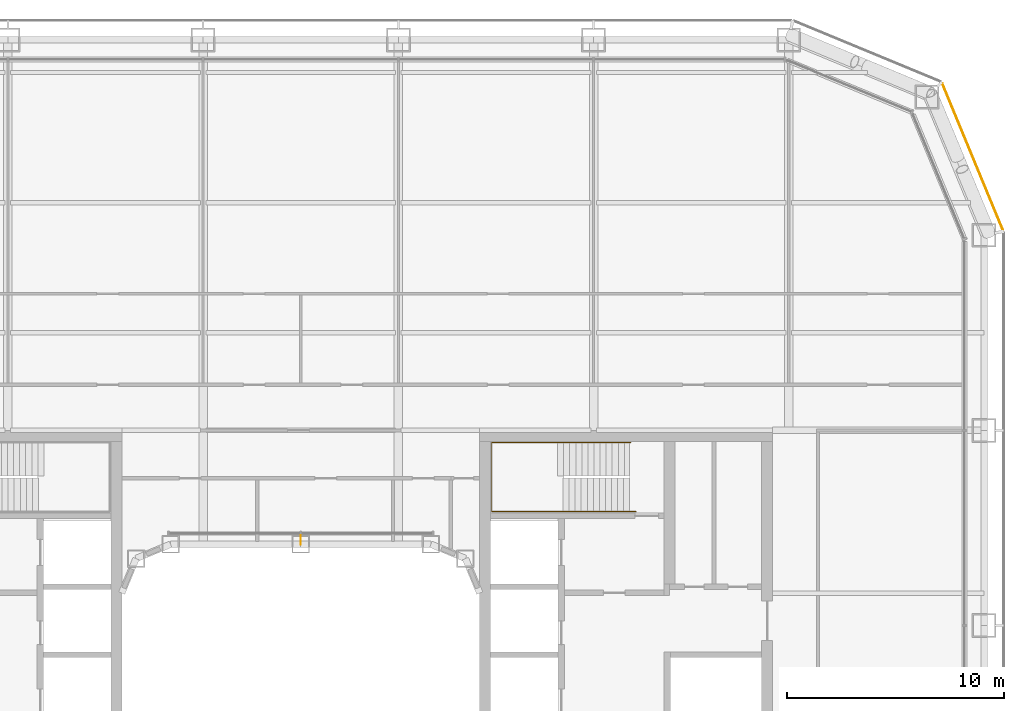
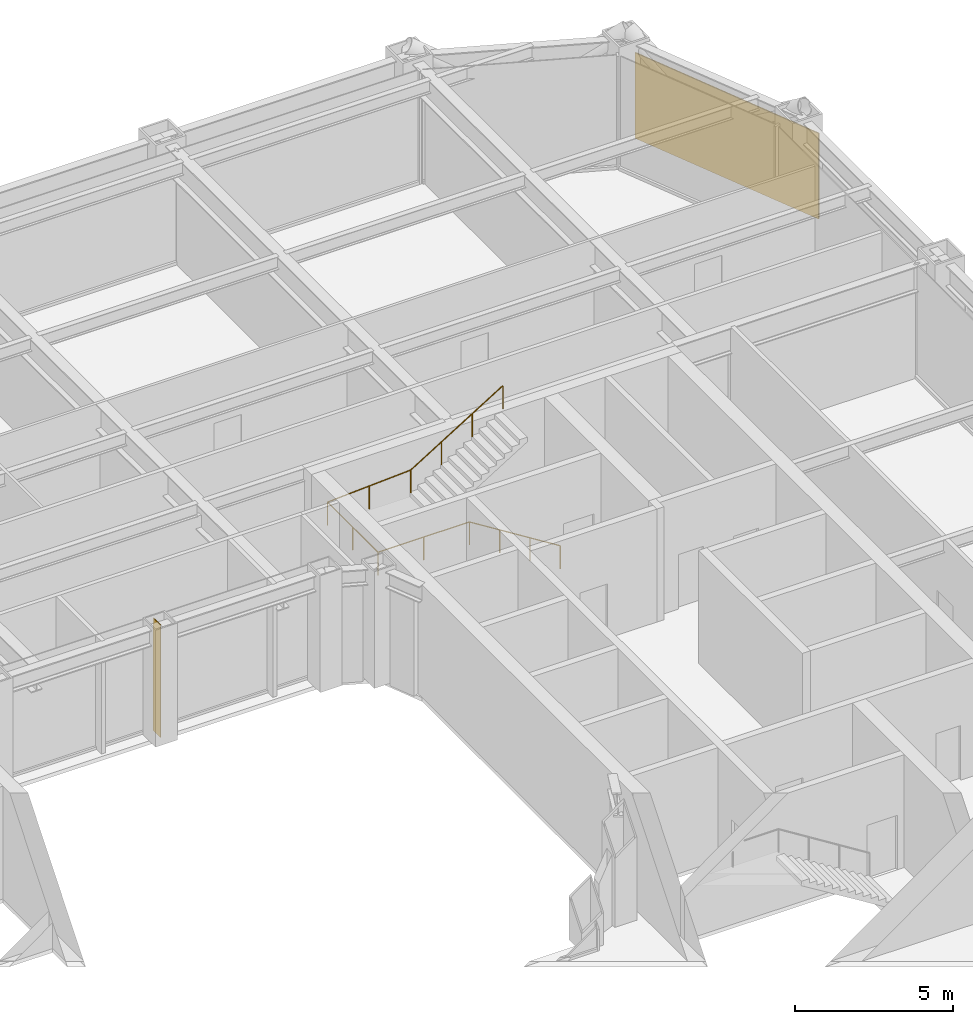
# One storey, part 23 of 24: 1 covering, 1 railing, 1 shading device.
"""IFC4 building model written with IfcOpenShell, lengths in metres."""

from ifc_helpers import new_model, si_unit, direction, frame, origin, origin_2d, place, context, subcontext, project, spatial, rectangle, circle, extrude, material, layer, layer_set, type_object, element, save


model = new_model("IFC4")

# Units and contexts
model_context = context("Model", 3, precision=1e-05, world=origin(), true_north=direction((0.0, 1.0)))
body_context = subcontext(model_context, "Body", "Model", "MODEL_VIEW")
ifc_project = project(units=[si_unit("LENGTHUNIT", "METRE"), si_unit("AREAUNIT", "SQUARE_METRE"), si_unit("VOLUMEUNIT", "CUBIC_METRE"), si_unit("PLANEANGLEUNIT", "RADIAN"), si_unit("MASSUNIT", "GRAM", prefix="KILO")], contexts=[model_context])

# Site, building, storey
site_placement = place(None, origin())
site = spatial("IfcSite", under=ifc_project, at=site_placement, CompositionType="ELEMENT")
building_placement = place(site_placement, origin())
building = spatial("IfcBuilding", under=site, at=building_placement, Name="Siwar Civic Tower", CompositionType="ELEMENT")
storey_placement = place(building_placement, frame((0.0, 0.0, 22.199951171875)))
storey = spatial("IfcBuildingStorey", under=building, at=storey_placement, Name="L04", CompositionType="ELEMENT", Elevation=22.199951171875)

# Railing
ifc_material_1 = material(Name="Stainless steel", Category="steel")
railing_type = type_object("IfcRailingType", Name="CORE-STAIR-HANDRAIL", PredefinedType="HANDRAIL", material=ifc_material_1)
railing_placement = place(storey_placement, frame((15.449951171875, 9.758056640625, 0.173095703125)))
element("IfcRailing", 1, at=railing_placement, inside=storey, type_object=railing_type, Name="Stair handrail ST3", PredefinedType="HANDRAIL", context=body_context, shape_type="SweptSolid", body=[
    extrude(circle(Radius=0.02001953125, at=origin_2d()), frame((0.0, 0.0, 0.8798828125), z_axis=(-0.847063342986, 0.0, 0.531491950051), x_axis=(0.0, -1.0, 0.0)), (0.0, 0.0, 1.0), 3.90771484375),
    extrude(circle(Radius=0.02001953125, at=origin_2d()), frame((-3.31005859375, 0.0, 2.956787109375), z_axis=(-1.0, 0.0, 0.0), x_axis=(0.0, -1.0, 0.0)), (0.0, 0.0, 1.0), 3.331787109375),
    extrude(circle(Radius=0.02001953125, at=origin_2d()), frame((-6.641845703125, 0.0, 2.956787109375), z_axis=(0.0, 1.0, 0.0), x_axis=(-1.0, 0.0, 0.0)), (0.0, 0.0, 1.0), 3.183837890625),
    extrude(circle(Radius=0.02001953125, at=origin_2d()), frame((-6.641845703125, 3.183837890625, 2.956787109375), z_axis=(0.99837434197, 0.0, 0.056997134106), x_axis=(0.0, 1.0, 0.0)), (0.0, 0.0, 1.0), 3.036865234375),
    extrude(circle(Radius=0.02001953125, at=origin_2d()), frame((-3.60986328125, 3.183837890625, 3.1298828125), z_axis=(0.850606129759, 0.0, 0.525803396734), x_axis=(0.0, 1.0, 0.0)), (0.0, 0.0, 1.0), 3.949951171875),
    extrude(circle(Radius=0.02001953125, at=origin_2d()), origin(), (0.0, 0.0, 1.0), 0.85986328125),
    extrude(circle(Radius=0.02001953125, at=origin_2d()), frame((-1.103271484375, 0.0, 0.6923828125)), (0.0, 0.0, 1.0), 0.85986328125),
    extrude(circle(Radius=0.02001953125, at=origin_2d()), frame((-2.206787109375, 0.0, 1.384521484375)), (0.0, 0.0, 1.0), 0.85986328125),
    extrude(circle(Radius=0.02001953125, at=origin_2d()), frame((-3.31005859375, 0.0, 2.076904296875)), (0.0, 0.0, 1.0), 0.85986328125),
    extrude(circle(Radius=0.02001953125, at=origin_2d()), frame((-4.97607421875, 0.0, 2.076904296875)), (0.0, 0.0, 1.0), 0.85986328125),
    extrude(circle(Radius=0.02001953125, at=origin_2d()), frame((-6.641845703125, 0.0, 2.076904296875)), (0.0, 0.0, 1.0), 0.85986328125),
    extrude(circle(Radius=0.02001953125, at=origin_2d()), frame((-6.641845703125, 1.591796875, 2.076904296875)), (0.0, 0.0, 1.0), 0.85986328125),
    extrude(circle(Radius=0.02001953125, at=origin_2d()), frame((-6.641845703125, 3.183837890625, 2.076904296875)), (0.0, 0.0, 1.0), 0.85986328125),
    extrude(circle(Radius=0.02001953125, at=origin_2d()), frame((-5.1259765625, 3.183837890625, 2.16357421875)), (0.0, 0.0, 1.0), 0.85986328125),
    extrude(circle(Radius=0.02001953125, at=origin_2d()), frame((-3.60986328125, 3.183837890625, 2.25)), (0.0, 0.0, 1.0), 0.85986328125),
    extrude(circle(Radius=0.02001953125, at=origin_2d()), frame((-2.489990234375, 3.183837890625, 2.9423828125)), (0.0, 0.0, 1.0), 0.85986328125),
    extrude(circle(Radius=0.02001953125, at=origin_2d()), frame((-1.369873046875, 3.183837890625, 3.634521484375)), (0.0, 0.0, 1.0), 0.85986328125),
    extrude(circle(Radius=0.02001953125, at=origin_2d()), frame((-0.25, 3.183837890625, 4.326904296875)), (0.0, 0.0, 1.0), 0.85986328125),
])

# Shading device
ifc_material_2 = material(Name="Aluminium 6063-T6", Category="aluminium")
ifc_layer_1 = layer(ifc_material_2, 0.02001953125)
ifc_layer_set_1 = layer_set([ifc_layer_1], Name="Aluminium 6063-T6")
shading_device_type = type_object("IfcShadingDeviceType", Name="ENV-FIN", PredefinedType="JALOUSIE", material=ifc_layer_set_1)
shading_device_placement = place(storey_placement, frame((0.0, 8.445068359375, 0.0), z_axis=(0.0, 0.0, 1.0), x_axis=(-1.0, 0.0, 0.0)))
element("IfcShadingDevice", 2, at=shading_device_placement, inside=storey, type_object=shading_device_type, Name="SUNSHADE fin WN 1", PredefinedType="JALOUSIE", context=body_context, shape_type="SweptSolid", body=[
    extrude(rectangle(XDim=0.02001953125, YDim=0.449951171875, at=origin_2d()), origin(), (0.0, 0.0, 1.0), 4.35009765625),
])

# Covering
ifc_material_3 = material(Name="Perforated aluminium cassette, pale metal", Category="aluminium")
ifc_layer_2 = layer(ifc_material_3, 0.0400390625)
ifc_layer_set_2 = layer_set([ifc_layer_2], Name="Perforated aluminium cassette, pale metal")
covering_type = type_object("IfcCoveringType", Name="ENV-OUTER SKIN OS-1", PredefinedType="CLADDING", material=ifc_layer_set_2)
covering_placement = place(storey_placement, frame((30.976318359375, 26.115966796875, -0.14990234375), z_axis=(0.0, 0.0, 1.0), x_axis=(-0.382683432365, 0.923879532511, 0.0)))
element("IfcCovering", 3, at=covering_placement, inside=storey, type_object=covering_type, Name="OUTER SKIN OS-1 NE1 1", PredefinedType="CLADDING", context=body_context, shape_type="SweptSolid", body=[
    extrude(rectangle(XDim=7.300048828125, YDim=0.0400390625, at=origin_2d()), origin(), (0.0, 0.0, 1.0), 3.300048828125),
])

save(model, "model.ifc")
